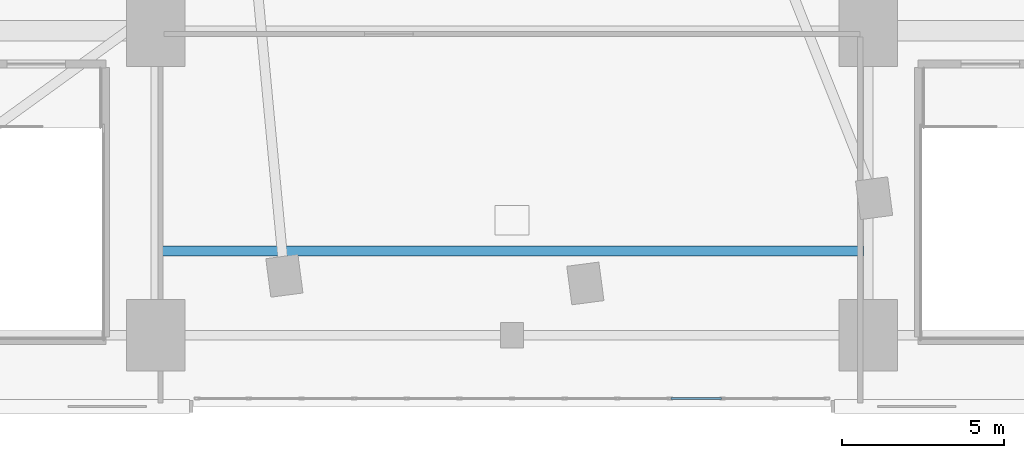
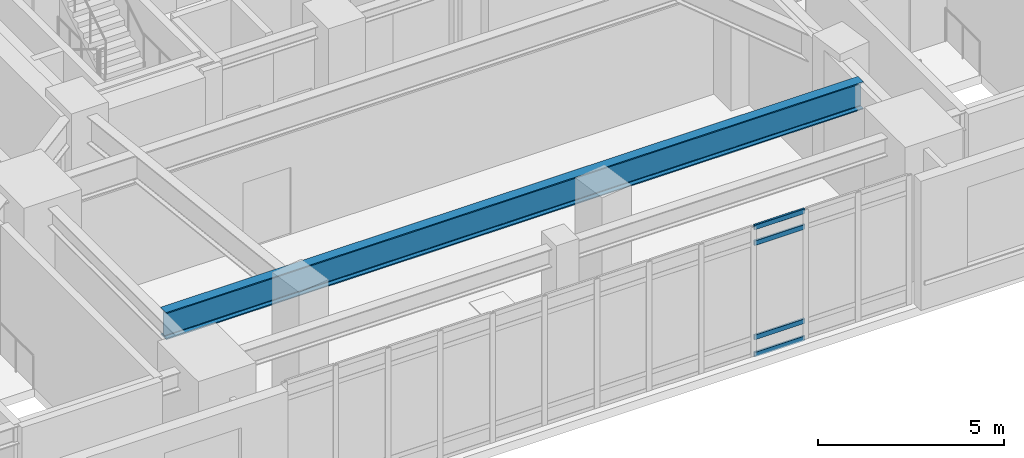
# One storey, part 5 of 20: 4 members, 1 beam, 1 element without a shape of its own.
"""IFC4 building model written with IfcOpenShell, lengths in metres."""

from ifc_helpers import new_model, si_unit, direction, frame, origin, origin_2d, place, context, subcontext, project, spatial, hollow_rectangle, i_section, extrude, material, layer, layer_set, material_profile, profile_set, type_object, element, aggregate, save


model = new_model("IFC4")

# Units and contexts
model_context = context("Model", 3, precision=1e-05, world=origin(), true_north=direction((0.0, 1.0)))
body_context = subcontext(model_context, "Body", "Model", "MODEL_VIEW")
ifc_project = project(units=[si_unit("LENGTHUNIT", "METRE"), si_unit("AREAUNIT", "SQUARE_METRE"), si_unit("VOLUMEUNIT", "CUBIC_METRE"), si_unit("PLANEANGLEUNIT", "RADIAN"), si_unit("MASSUNIT", "GRAM", prefix="KILO")], contexts=[model_context])

# Site, building, storey
site_placement = place(None, origin())
site = spatial("IfcSite", under=ifc_project, at=site_placement, CompositionType="ELEMENT")
building_placement = place(site_placement, origin())
building = spatial("IfcBuilding", under=site, at=building_placement, Name="Ndelora Gate Hotel", CompositionType="ELEMENT")
storey_placement = place(building_placement, frame((0.0, 0.0, 26.0)))
storey = spatial("IfcBuildingStorey", under=building, at=storey_placement, Name="L05", CompositionType="ELEMENT", Elevation=26.0)

# Beam
ifc_material_1 = material(Name="Steel S460", Category="steel")
ifc_material_profile_1 = material_profile(ifc_material_1, i_section(OverallWidth=0.300048828125, OverallDepth=0.89990234375, WebThickness=0.0185546875, FlangeThickness=0.034912109375, FilletRadius=0.030029296875, at=origin_2d()), Name="HEB 900")
ifc_profile_set_1 = profile_set([ifc_material_profile_1], Name="Steel S460")
beam_type = type_object("IfcBeamType", Name="BM-BELT-900", PredefinedType="SPANDREL", material=ifc_profile_set_1)
beam_placement = place(storey_placement, frame((-10.85009765625, -16.199951171875, 3.800048828125), z_axis=(1.0, 0.0, 0.0), x_axis=(0.0, 1.0, 0.0)))
element("IfcBeam", 1, at=beam_placement, inside=storey, type_object=beam_type, Name="L05 Podium Composite Secondary Joist 3", PredefinedType="SPANDREL", context=body_context, shape_type="SweptSolid", body=[
    extrude(i_section(OverallWidth=0.300048828125, OverallDepth=0.89990234375, WebThickness=0.0185546875, FlangeThickness=0.034912109375, FilletRadius=0.030029296875, at=origin_2d()), origin(), (0.0, 0.0, 1.0), 21.7001953125),
])

# Curtain wall, members
ifc_material_2 = material(Name="Bronze Anodised Unitised Aluminium and Low-E Glass", Category="aluminium")
ifc_layer = layer(ifc_material_2, 0.219970703125)
ifc_layer_set = layer_set([ifc_layer], Name="Bronze Anodised Unitised Aluminium and Low-E Glass")
curtain_wall_type = type_object("IfcCurtainWallType", Name="CW-SYS-2", PredefinedType="NOTDEFINED", material=ifc_layer_set)
curtain_wall_placement = place(storey_placement, origin())
curtain_wall = element("IfcCurtainWall", 2, at=curtain_wall_placement, inside=storey, type_object=curtain_wall_type, Name="L05 South Podium Foyer Curtain Wall CW2", PredefinedType="NOTDEFINED")
ifc_material_3 = material(Name="Bronze Anodised Aluminium 6063-T6", Category="aluminium")
ifc_material_profile_2 = material_profile(ifc_material_3, hollow_rectangle(XDim=0.06494140625, YDim=0.159912109375, WallThickness=0.00390625, InnerFilletRadius=0.00390625, OuterFilletRadius=0.008056640625, at=origin_2d()), Name="ALU 160x65x4")
ifc_profile_set_2 = profile_set([ifc_material_profile_2], Name="Bronze Anodised Aluminium 6063-T6")
member_type = type_object("IfcMemberType", Name="MB-CW-TRN150", PredefinedType="USERDEFINED", material=ifc_profile_set_2)
member_1_placement = place(storey_placement, frame((4.904052734375, -20.75, 0.032470703125), z_axis=(1.0, 0.0, 0.0), x_axis=(0.0, 1.0, 0.0)))
member_1 = element("IfcMember", 3, at=member_1_placement, type_object=member_type, Name="CW2 transom 10.1", ObjectType="TRANSOM", PredefinedType="USERDEFINED", context=body_context, shape_type="SweptSolid", body=[
    extrude(hollow_rectangle(XDim=0.06494140625, YDim=0.159912109375, WallThickness=0.00390625, InnerFilletRadius=0.00390625, OuterFilletRadius=0.008056640625, at=origin_2d()), origin(), (0.0, 0.0, 1.0), 1.56689453125),
])
member_2_placement = place(storey_placement, frame((4.904052734375, -20.75, 0.60009765625), z_axis=(1.0, 0.0, 0.0), x_axis=(0.0, 1.0, 0.0)))
member_2 = element("IfcMember", 4, at=member_2_placement, type_object=member_type, Name="CW2 transom 10.2", ObjectType="TRANSOM", PredefinedType="USERDEFINED", context=body_context, shape_type="SweptSolid", body=[
    extrude(hollow_rectangle(XDim=0.06494140625, YDim=0.159912109375, WallThickness=0.00390625, InnerFilletRadius=0.00390625, OuterFilletRadius=0.008056640625, at=origin_2d()), origin(), (0.0, 0.0, 1.0), 1.56689453125),
])
member_3_placement = place(storey_placement, frame((4.904052734375, -20.75, 3.699951171875), z_axis=(1.0, 0.0, 0.0), x_axis=(0.0, 1.0, 0.0)))
member_3 = element("IfcMember", 5, at=member_3_placement, type_object=member_type, Name="CW2 transom 10.3", ObjectType="TRANSOM", PredefinedType="USERDEFINED", context=body_context, shape_type="SweptSolid", body=[
    extrude(hollow_rectangle(XDim=0.06494140625, YDim=0.159912109375, WallThickness=0.00390625, InnerFilletRadius=0.00390625, OuterFilletRadius=0.008056640625, at=origin_2d()), origin(), (0.0, 0.0, 1.0), 1.56689453125),
])
member_4_placement = place(storey_placement, frame((4.904052734375, -20.75, 4.217529296875), z_axis=(1.0, 0.0, 0.0), x_axis=(0.0, 1.0, 0.0)))
member_4 = element("IfcMember", 6, at=member_4_placement, type_object=member_type, Name="CW2 transom 10.4", ObjectType="TRANSOM", PredefinedType="USERDEFINED", context=body_context, shape_type="SweptSolid", body=[
    extrude(hollow_rectangle(XDim=0.06494140625, YDim=0.159912109375, WallThickness=0.00390625, InnerFilletRadius=0.00390625, OuterFilletRadius=0.008056640625, at=origin_2d()), origin(), (0.0, 0.0, 1.0), 1.56689453125),
])
aggregate(curtain_wall, [member_1, member_2, member_3, member_4])

save(model, "model.ifc")
